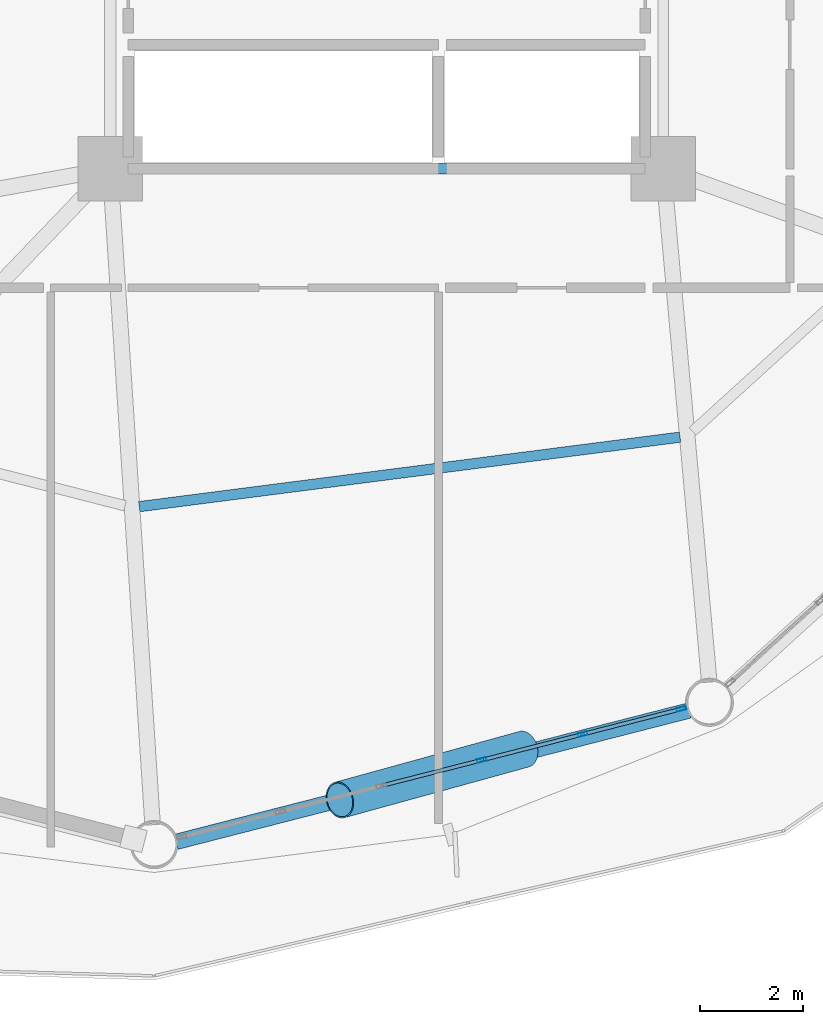
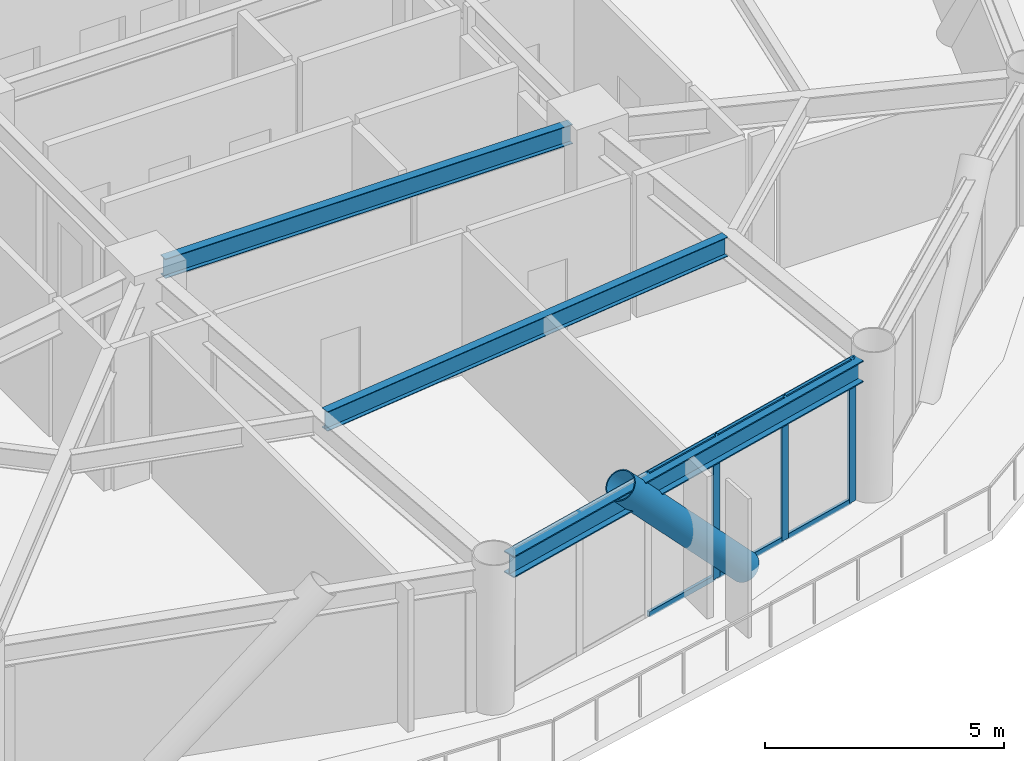
# One storey, part 6 of 22: 10 members, 3 beams, 1 element without a shape of its own.
"""IFC4 building model written with IfcOpenShell, lengths in metres."""

from ifc_helpers import new_model, si_unit, direction, frame, origin, origin_2d, place, context, subcontext, project, spatial, hollow_rectangle, hollow_circle, i_section, extrude, material, layer, layer_set, material_profile, profile_set, type_object, element, aggregate, save


model = new_model("IFC4")

# Units and contexts
model_context = context("Model", 3, precision=1e-05, world=origin(), true_north=direction((0.0, 1.0)))
body_context = subcontext(model_context, "Body", "Model", "MODEL_VIEW")
ifc_project = project(units=[si_unit("LENGTHUNIT", "METRE"), si_unit("AREAUNIT", "SQUARE_METRE"), si_unit("VOLUMEUNIT", "CUBIC_METRE"), si_unit("PLANEANGLEUNIT", "RADIAN"), si_unit("MASSUNIT", "GRAM", prefix="KILO")], contexts=[model_context])

# Site, building, storey
site_placement = place(None, origin())
site = spatial("IfcSite", under=ifc_project, at=site_placement, CompositionType="ELEMENT")
building_placement = place(site_placement, origin())
building = spatial("IfcBuilding", under=site, at=building_placement, Name="Varnakorn Sky Granary", CompositionType="ELEMENT")
storey_placement = place(building_placement, frame((0.0, 0.0, 66.60009765625)))
storey = spatial("IfcBuildingStorey", under=building, at=storey_placement, Name="L16", CompositionType="ELEMENT", Elevation=66.60009765625)

# Beams
ifc_material_1 = material(Name="Steel S355JR", Category="steel")
ifc_material_profile_1 = material_profile(ifc_material_1, i_section(OverallWidth=0.199951171875, OverallDepth=0.5, WebThickness=0.01025390625, FlangeThickness=0.01611328125, at=origin_2d()), Name="IPE 500")
ifc_profile_set_1 = profile_set([ifc_material_profile_1], Name="Steel S355JR")
beam_type_1 = type_object("IfcBeamType", Name="BM-SEC-Z1", PredefinedType="BEAM", material=ifc_profile_set_1)
beam_1_placement = place(storey_placement, frame((-1.786865234375, -13.1357421875, 3.389892578125), z_axis=(0.991842841752, 0.127466769259, 0.0), x_axis=(-0.127466769259, 0.991842841752, 0.0)))
element("IfcBeam", 1, at=beam_1_placement, inside=storey, type_object=beam_type_1, Name="Secondary Floor Chord Beam MSB10 L16", PredefinedType="BEAM", context=body_context, shape_type="SweptSolid", body=[
    extrude(i_section(OverallWidth=0.199951171875, OverallDepth=0.5, WebThickness=0.01025390625, FlangeThickness=0.01611328125, at=origin_2d()), origin(), (0.0, 0.0, 1.0), 10.547607421875),
])
beam_2_placement = place(storey_placement, frame((-1.929931640625, -6.60009765625, 3.389892578125), z_axis=(1.0, 0.0, 0.0), x_axis=(0.0, 1.0, 0.0)))
element("IfcBeam", 2, at=beam_2_placement, inside=storey, type_object=beam_type_1, Name="Core Spine Framing Beam 6 L16", PredefinedType="BEAM", context=body_context, shape_type="SweptSolid", body=[
    extrude(i_section(OverallWidth=0.199951171875, OverallDepth=0.5, WebThickness=0.01025390625, FlangeThickness=0.01611328125, at=origin_2d()), origin(), (0.0, 0.0, 1.0), 9.85986328125),
])
ifc_material_profile_2 = material_profile(ifc_material_1, i_section(OverallWidth=0.300048828125, OverallDepth=0.550048828125, WebThickness=0.014892578125, FlangeThickness=0.029052734375, at=origin_2d()), Name="HE 550 B")
ifc_profile_set_2 = profile_set([ifc_material_profile_2], Name="Steel S355JR")
beam_type_2 = type_object("IfcBeamType", Name="BM-SPD-Z1", PredefinedType="SPANDREL", material=ifc_profile_set_2)
beam_3_placement = place(storey_placement, frame((-1.07177734375, -19.619384765625, 3.364990234375), z_axis=(0.968748648777, 0.248044462734, 0.0), x_axis=(-0.248044462734, 0.968748648777, 0.0)))
element("IfcBeam", 3, at=beam_3_placement, inside=storey, type_object=beam_type_2, Name="Perimeter Spandrel Ring Beam RB10 L16", PredefinedType="SPANDREL", context=body_context, shape_type="SweptSolid", body=[
    extrude(i_section(OverallWidth=0.300048828125, OverallDepth=0.550048828125, WebThickness=0.014892578125, FlangeThickness=0.029052734375, at=origin_2d()), origin(), (0.0, 0.0, 1.0), 10.2431640625),
])

# Curtain wall, members
ifc_material_2 = material(Name="Anodised Bronze Aluminium Alloy 6063-T6", Category="aluminium")
ifc_layer = layer(ifc_material_2, 0.18994140625, Name="Anodised Bronze Aluminium Alloy 6063-T6")
ifc_layer_set = layer_set([ifc_layer], Name="Anodised Bronze Aluminium Alloy 6063-T6")
curtain_wall_type = type_object("IfcCurtainWallType", Name="CW-FRM-1", PredefinedType="USERDEFINED", material=ifc_layer_set)
curtain_wall_placement = place(storey_placement, origin())
curtain_wall = element("IfcCurtainWall", 4, at=curtain_wall_placement, inside=storey, type_object=curtain_wall_type, Name="Unitised Curtain Wall CW3 CW-L16-B10", ObjectType="CURTAIN WALL", PredefinedType="USERDEFINED")
ifc_material_profile_3 = material_profile(ifc_material_2, hollow_rectangle(XDim=0.070068359375, YDim=0.18505859375, WallThickness=0.00390625, at=origin_2d()), Name="ALU MULL 70x185")
ifc_profile_set_3 = profile_set([ifc_material_profile_3], Name="Anodised Bronze Aluminium Alloy 6063-T6")
member_type_1 = type_object("IfcMemberType", Name="CW-FRM-1-MULL", PredefinedType="MULLION", material=ifc_profile_set_3)
member_1_placement = place(storey_placement, frame((8.702392578125, -17.0478515625, 0.0), z_axis=(0.0, 0.0, 1.0), x_axis=(0.248211359379, -0.968705900196, 0.0)))
member_1 = element("IfcMember", 5, at=member_1_placement, type_object=member_type_1, Name="CW3 mullion 1", PredefinedType="MULLION", context=body_context, shape_type="SweptSolid", body=[
    extrude(hollow_rectangle(XDim=0.070068359375, YDim=0.18505859375, WallThickness=0.00390625, at=origin_2d()), origin(), (0.0, 0.0, 1.0), 3.639892578125),
])
member_2_placement = place(storey_placement, frame((6.7890625, -17.5380859375, 0.0), z_axis=(0.0, 0.0, 1.0), x_axis=(0.248211359379, -0.968705900196, 0.0)))
member_2 = element("IfcMember", 6, at=member_2_placement, type_object=member_type_1, Name="CW3 mullion 2", PredefinedType="MULLION", context=body_context, shape_type="SweptSolid", body=[
    extrude(hollow_rectangle(XDim=0.070068359375, YDim=0.18505859375, WallThickness=0.00390625, at=origin_2d()), origin(), (0.0, 0.0, 1.0), 3.639892578125),
])
member_3_placement = place(storey_placement, frame((4.842041015625, -18.037109375, 0.0), z_axis=(0.0, 0.0, 1.0), x_axis=(0.248211359379, -0.968705900196, 0.0)))
member_3 = element("IfcMember", 7, at=member_3_placement, type_object=member_type_1, Name="CW3 mullion 3", PredefinedType="MULLION", context=body_context, shape_type="SweptSolid", body=[
    extrude(hollow_rectangle(XDim=0.070068359375, YDim=0.18505859375, WallThickness=0.00390625, at=origin_2d()), origin(), (0.0, 0.0, 1.0), 3.639892578125),
])
ifc_material_profile_4 = material_profile(ifc_material_2, hollow_rectangle(XDim=0.070068359375, YDim=0.139892578125, WallThickness=0.00341796875, at=origin_2d()), Name="ALU TRAN 70x140")
ifc_profile_set_4 = profile_set([ifc_material_profile_4], Name="Anodised Bronze Aluminium Alloy 6063-T6")
member_type_2 = type_object("IfcMemberType", Name="CW-FRM-1-TRAN", PredefinedType="USERDEFINED", material=ifc_profile_set_4)
member_4_placement = place(storey_placement, frame((8.66845703125, -17.056640625, 0.034912109375), z_axis=(-0.968731821255, -0.248110174091, 0.0), x_axis=(0.248110174091, -0.968731821255, 0.0)))
member_4 = element("IfcMember", 8, at=member_4_placement, type_object=member_type_2, Name="CW3 transom 1.1", ObjectType="TRANSOM", PredefinedType="USERDEFINED", context=body_context, shape_type="SweptSolid", body=[
    extrude(hollow_rectangle(XDim=0.070068359375, YDim=0.139892578125, WallThickness=0.00341796875, at=origin_2d()), origin(), (0.0, 0.0, 1.0), 1.905029296875),
])
member_5_placement = place(storey_placement, frame((8.66845703125, -17.056640625, 3.60498046875), z_axis=(-0.968731821255, -0.248110174091, 0.0), x_axis=(0.248110174091, -0.968731821255, 0.0)))
member_5 = element("IfcMember", 9, at=member_5_placement, type_object=member_type_2, Name="CW3 transom 1.2", ObjectType="TRANSOM", PredefinedType="USERDEFINED", context=body_context, shape_type="SweptSolid", body=[
    extrude(hollow_rectangle(XDim=0.070068359375, YDim=0.139892578125, WallThickness=0.00341796875, at=origin_2d()), origin(), (0.0, 0.0, 1.0), 1.905029296875),
])
member_6_placement = place(storey_placement, frame((6.755126953125, -17.546875, 0.034912109375), z_axis=(-0.968711985166, -0.248187610075, 0.0), x_axis=(0.248187610075, -0.968711985166, 0.0)))
member_6 = element("IfcMember", 10, at=member_6_placement, type_object=member_type_2, Name="CW3 transom 2.1", ObjectType="TRANSOM", PredefinedType="USERDEFINED", context=body_context, shape_type="SweptSolid", body=[
    extrude(hollow_rectangle(XDim=0.070068359375, YDim=0.139892578125, WallThickness=0.00341796875, at=origin_2d()), origin(), (0.0, 0.0, 1.0), 1.93994140625),
])
member_7_placement = place(storey_placement, frame((6.755126953125, -17.546875, 3.60498046875), z_axis=(-0.968711985166, -0.248187610075, 0.0), x_axis=(0.248187610075, -0.968711985166, 0.0)))
member_7 = element("IfcMember", 11, at=member_7_placement, type_object=member_type_2, Name="CW3 transom 2.2", ObjectType="TRANSOM", PredefinedType="USERDEFINED", context=body_context, shape_type="SweptSolid", body=[
    extrude(hollow_rectangle(XDim=0.070068359375, YDim=0.139892578125, WallThickness=0.00341796875, at=origin_2d()), origin(), (0.0, 0.0, 1.0), 1.93994140625),
])
member_8_placement = place(storey_placement, frame((4.80810546875, -18.045654296875, 0.034912109375), z_axis=(-0.968711985166, -0.248187610075, 0.0), x_axis=(0.248187610075, -0.968711985166, 0.0)))
member_8 = element("IfcMember", 12, at=member_8_placement, type_object=member_type_2, Name="CW3 transom 3.1", ObjectType="TRANSOM", PredefinedType="USERDEFINED", context=body_context, shape_type="SweptSolid", body=[
    extrude(hollow_rectangle(XDim=0.070068359375, YDim=0.139892578125, WallThickness=0.00341796875, at=origin_2d()), origin(), (0.0, 0.0, 1.0), 1.93994140625),
])
member_9_placement = place(storey_placement, frame((4.80810546875, -18.045654296875, 3.60498046875), z_axis=(-0.968711985166, -0.248187610075, 0.0), x_axis=(0.248187610075, -0.968711985166, 0.0)))
member_9 = element("IfcMember", 13, at=member_9_placement, type_object=member_type_2, Name="CW3 transom 3.2", ObjectType="TRANSOM", PredefinedType="USERDEFINED", context=body_context, shape_type="SweptSolid", body=[
    extrude(hollow_rectangle(XDim=0.070068359375, YDim=0.139892578125, WallThickness=0.00341796875, at=origin_2d()), origin(), (0.0, 0.0, 1.0), 1.93994140625),
])
aggregate(curtain_wall, [member_1, member_2, member_3, member_4, member_5, member_6, member_7, member_8, member_9])

# Member
ifc_material_3 = material(Name="Steel S460M", Category="steel")
ifc_material_profile_5 = material_profile(ifc_material_3, hollow_circle(Radius=0.35546875, WallThickness=0.02490234375, at=origin_2d()), Name="CHS 711x25")
ifc_profile_set_5 = profile_set([ifc_material_profile_5], Name="Steel S460M")
member_type_3 = type_object("IfcMemberType", Name="MB-DIAG-T0", PredefinedType="BRACE", material=ifc_profile_set_5)
member_10_placement = place(storey_placement, frame((5.657958984375, -17.827880859375, -0.130126953125), z_axis=(-0.661541626909, -0.182092719577, 0.727464718968), x_axis=(0.265385153364, -0.964142479291, 0.0)))
element("IfcMember", 14, at=member_10_placement, inside=storey, type_object=member_type_3, Name="Perimeter CHS Diagrid Brace DG10 L16", PredefinedType="BRACE", context=body_context, shape_type="SweptSolid", body=[
    extrude(hollow_circle(Radius=0.35546875, WallThickness=0.02490234375, at=origin_2d()), origin(), (0.0, 0.0, 1.0), 5.388427734375),
])

save(model, "model.ifc")
